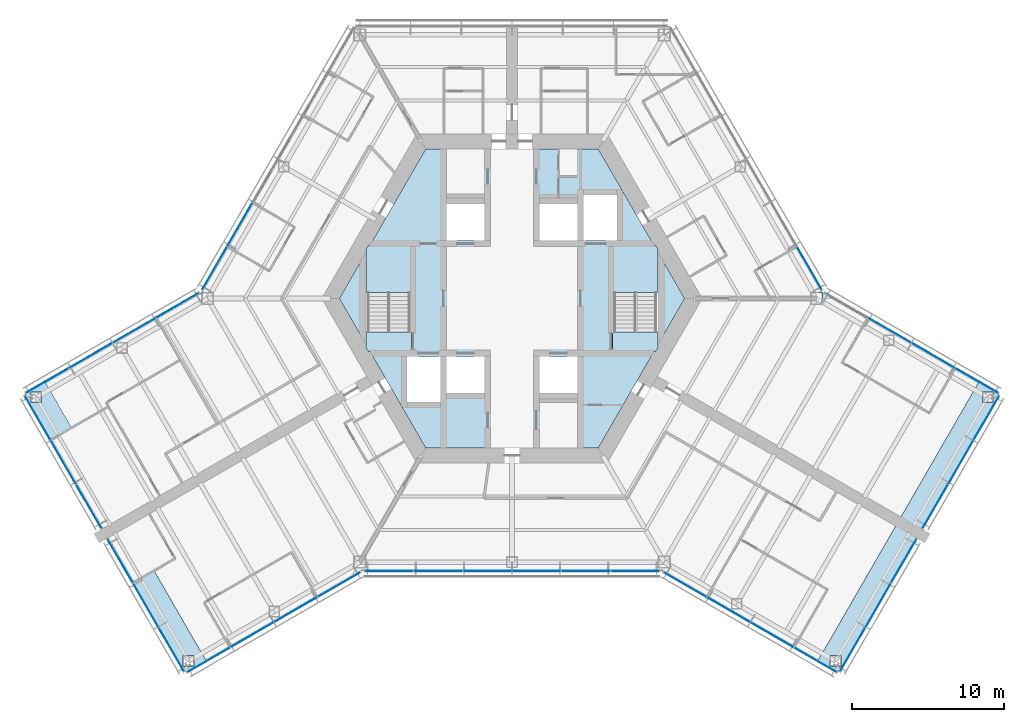
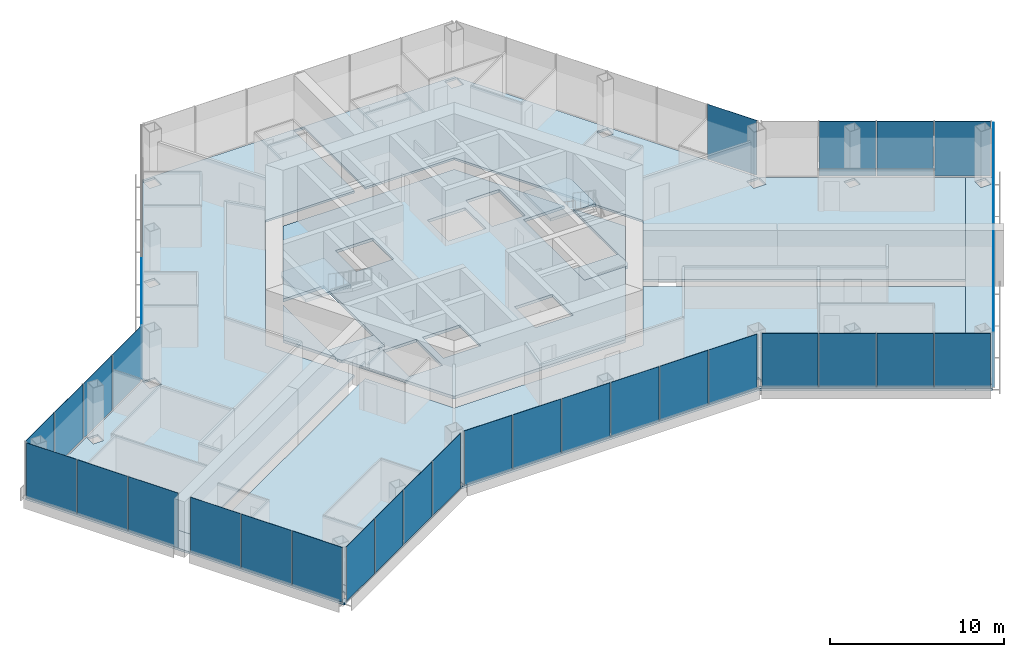
# One storey, part 10 of 18: 36 plates, 11 slabs, 13 elements without a shape of their own.
"""IFC4 building model written with IfcOpenShell, lengths in metres."""

from ifc_helpers import new_model, si_unit, direction, frame, origin, origin_2d, place, context, subcontext, project, spatial, polyline, rectangle, outline, extrude, material, layer, layer_set, type_object, element, aggregate, save


model = new_model("IFC4")

# Units and contexts
model_context = context("Model", 3, precision=1e-05, world=origin(), true_north=direction((0.0, 1.0)))
body_context = subcontext(model_context, "Body", "Model", "MODEL_VIEW")
ifc_project = project(units=[si_unit("LENGTHUNIT", "METRE"), si_unit("AREAUNIT", "SQUARE_METRE"), si_unit("VOLUMEUNIT", "CUBIC_METRE"), si_unit("PLANEANGLEUNIT", "RADIAN"), si_unit("MASSUNIT", "GRAM", prefix="KILO")], contexts=[model_context])

# Site, building, storey
site_placement = place(None, origin())
site = spatial("IfcSite", under=ifc_project, at=site_placement, CompositionType="ELEMENT")
building_placement = place(site_placement, origin())
building = spatial("IfcBuilding", under=site, at=building_placement, Name="Kasaneha Research Tower", CompositionType="ELEMENT")
storey_placement = place(building_placement, frame((0.0, 0.0, 148.699951171875)))
storey = spatial("IfcBuildingStorey", under=building, at=storey_placement, Name="L37", CompositionType="ELEMENT", Elevation=148.699951171875)

# Curtain wall, plates
ifc_material_1 = material(Name="Glass and aluminium", Category="aluminium")
curtain_wall_type = type_object("IfcCurtainWallType", Name="Mid-rise office curtain wall", PredefinedType="USERDEFINED", material=ifc_material_1)
curtain_wall_1_placement = place(storey_placement, origin())
curtain_wall_1 = element("IfcCurtainWall", 1, at=curtain_wall_1_placement, inside=storey, type_object=curtain_wall_type, Name="CW-O2 L37 run 01a", ObjectType="UNITISED CURTAIN WALL", PredefinedType="USERDEFINED")
ifc_material_2 = material(Name="Laminated double glazing", Category="glass")
ifc_layer_1 = layer(ifc_material_2, 0.02587890625)
ifc_layer_set_1 = layer_set([ifc_layer_1], Name="CW-O2 glazed panel")
plate_type = type_object("IfcPlateType", Name="CW-O2 glazed panel", PredefinedType="CURTAIN_PANEL", material=ifc_layer_set_1)
plate_1_placement = place(storey_placement, frame((-8.10107421875, -17.92041015625, 0.06005859375), z_axis=(0.0, 0.0, 1.0), x_axis=(1.0, 0.0, 0.0)))
plate_1 = element("IfcPlate", 2, at=plate_1_placement, type_object=plate_type, Name="CW-O2 panel 1", PredefinedType="CURTAIN_PANEL", context=body_context, shape_type="SweptSolid", body=[
    extrude(rectangle(XDim=3.156494140625, YDim=0.02587890625, at=origin_2d()), origin(), (0.0, 0.0, 1.0), 3.840087890625),
])
plate_2_placement = place(storey_placement, frame((-4.86962890625, -17.92041015625, 0.06005859375), z_axis=(0.0, 0.0, 1.0), x_axis=(1.0, 0.0, 0.0)))
plate_2 = element("IfcPlate", 3, at=plate_2_placement, type_object=plate_type, Name="CW-O2 panel 2", PredefinedType="CURTAIN_PANEL", context=body_context, shape_type="SweptSolid", body=[
    extrude(rectangle(XDim=3.1865234375, YDim=0.02587890625, at=origin_2d()), origin(), (0.0, 0.0, 1.0), 3.840087890625),
])
plate_3_placement = place(storey_placement, frame((-1.623291015625, -17.92041015625, 0.06005859375), z_axis=(0.0, 0.0, 1.0), x_axis=(1.0, 0.0, 0.0)))
plate_3 = element("IfcPlate", 4, at=plate_3_placement, type_object=plate_type, Name="CW-O2 panel 3", PredefinedType="CURTAIN_PANEL", context=body_context, shape_type="SweptSolid", body=[
    extrude(rectangle(XDim=3.1865234375, YDim=0.02587890625, at=origin_2d()), origin(), (0.0, 0.0, 1.0), 3.840087890625),
])
plate_4_placement = place(storey_placement, frame((1.623291015625, -17.92041015625, 0.06005859375), z_axis=(0.0, 0.0, 1.0), x_axis=(1.0, 0.0, 0.0)))
plate_4 = element("IfcPlate", 5, at=plate_4_placement, type_object=plate_type, Name="CW-O2 panel 4", PredefinedType="CURTAIN_PANEL", context=body_context, shape_type="SweptSolid", body=[
    extrude(rectangle(XDim=3.1865234375, YDim=0.02587890625, at=origin_2d()), origin(), (0.0, 0.0, 1.0), 3.840087890625),
])
plate_5_placement = place(storey_placement, frame((4.86962890625, -17.92041015625, 0.06005859375), z_axis=(0.0, 0.0, 1.0), x_axis=(1.0, 0.0, 0.0)))
plate_5 = element("IfcPlate", 6, at=plate_5_placement, type_object=plate_type, Name="CW-O2 panel 5", PredefinedType="CURTAIN_PANEL", context=body_context, shape_type="SweptSolid", body=[
    extrude(rectangle(XDim=3.1865234375, YDim=0.02587890625, at=origin_2d()), origin(), (0.0, 0.0, 1.0), 3.840087890625),
])
plate_6_placement = place(storey_placement, frame((8.10107421875, -17.92041015625, 0.06005859375), z_axis=(0.0, 0.0, 1.0), x_axis=(1.0, 0.0, 0.0)))
plate_6 = element("IfcPlate", 7, at=plate_6_placement, type_object=plate_type, Name="CW-O2 panel 6", PredefinedType="CURTAIN_PANEL", context=body_context, shape_type="SweptSolid", body=[
    extrude(rectangle(XDim=3.156494140625, YDim=0.02587890625, at=origin_2d()), origin(), (0.0, 0.0, 1.0), 3.840087890625),
])
aggregate(curtain_wall_1, [plate_1, plate_2, plate_3, plate_4, plate_5, plate_6])

curtain_wall_2_placement = place(storey_placement, origin())
curtain_wall_2 = element("IfcCurtainWall", 8, at=curtain_wall_2_placement, inside=storey, type_object=curtain_wall_type, Name="CW-O2 L37 run 02a", ObjectType="UNITISED CURTAIN WALL", PredefinedType="USERDEFINED")
plate_7_placement = place(storey_placement, frame((11.3720703125, -18.805419921875, 0.06005859375), z_axis=(0.0, 0.0, 1.0), x_axis=(0.866025411464, -0.499999986699, 0.0)))
plate_7 = element("IfcPlate", 9, at=plate_7_placement, type_object=plate_type, Name="CW-O2 panel 1", PredefinedType="CURTAIN_PANEL", context=body_context, shape_type="SweptSolid", body=[
    extrude(rectangle(XDim=3.2197265625, YDim=0.02587890625, at=origin_2d()), origin(), (0.0, 0.0, 1.0), 3.840087890625),
])
plate_8_placement = place(storey_placement, frame((14.225341796875, -20.452880859375, 0.06005859375), z_axis=(0.0, 0.0, 1.0), x_axis=(0.866025411464, -0.499999986699, 0.0)))
plate_8 = element("IfcPlate", 10, at=plate_8_placement, type_object=plate_type, Name="CW-O2 panel 2", PredefinedType="CURTAIN_PANEL", context=body_context, shape_type="SweptSolid", body=[
    extrude(rectangle(XDim=3.249755859375, YDim=0.02587890625, at=origin_2d()), origin(), (0.0, 0.0, 1.0), 3.840087890625),
])
plate_9_placement = place(storey_placement, frame((17.091796875, -22.107666015625, 0.06005859375), z_axis=(0.0, 0.0, 1.0), x_axis=(0.866025411464, -0.499999986699, 0.0)))
plate_9 = element("IfcPlate", 11, at=plate_9_placement, type_object=plate_type, Name="CW-O2 panel 3", PredefinedType="CURTAIN_PANEL", context=body_context, shape_type="SweptSolid", body=[
    extrude(rectangle(XDim=3.249755859375, YDim=0.02587890625, at=origin_2d()), origin(), (0.0, 0.0, 1.0), 3.840087890625),
])
plate_10_placement = place(storey_placement, frame((19.945068359375, -23.755126953125, 0.06005859375), z_axis=(0.0, 0.0, 1.0), x_axis=(0.866025411464, -0.499999986699, 0.0)))
plate_10 = element("IfcPlate", 12, at=plate_10_placement, type_object=plate_type, Name="CW-O2 panel 4", PredefinedType="CURTAIN_PANEL", context=body_context, shape_type="SweptSolid", body=[
    extrude(rectangle(XDim=3.2197265625, YDim=0.02587890625, at=origin_2d()), origin(), (0.0, 0.0, 1.0), 3.840087890625),
])
aggregate(curtain_wall_2, [plate_7, plate_8, plate_9, plate_10])

curtain_wall_3_placement = place(storey_placement, origin())
curtain_wall_3 = element("IfcCurtainWall", 13, at=curtain_wall_3_placement, inside=storey, type_object=curtain_wall_type, Name="CW-O2 L37 run 03a", ObjectType="UNITISED CURTAIN WALL", PredefinedType="USERDEFINED")
plate_11_placement = place(storey_placement, frame((22.38134765625, -23.075439453125, 0.06005859375), z_axis=(0.0, 0.0, 1.0), x_axis=(0.500000011442, 0.866025397178, 0.0)))
plate_11 = element("IfcPlate", 14, at=plate_11_placement, type_object=plate_type, Name="CW-O2 panel 1", PredefinedType="CURTAIN_PANEL", context=body_context, shape_type="SweptSolid", body=[
    extrude(rectangle(XDim=3.293212890625, YDim=0.02587890625, at=origin_2d()), origin(), (0.0, 0.0, 1.0), 3.840087890625),
])
plate_12_placement = place(storey_placement, frame((24.0654296875, -20.158447265625, 0.06005859375), z_axis=(0.0, 0.0, 1.0), x_axis=(0.500000011442, 0.866025397178, 0.0)))
plate_12 = element("IfcPlate", 15, at=plate_12_placement, type_object=plate_type, Name="CW-O2 panel 2", PredefinedType="CURTAIN_PANEL", context=body_context, shape_type="SweptSolid", body=[
    extrude(rectangle(XDim=3.3232421875, YDim=0.02587890625, at=origin_2d()), origin(), (0.0, 0.0, 1.0), 3.840087890625),
])
plate_13_placement = place(storey_placement, frame((25.74951171875, -17.241455078125, 0.06005859375), z_axis=(0.0, 0.0, 1.0), x_axis=(0.500000011442, 0.866025397178, 0.0)))
plate_13 = element("IfcPlate", 16, at=plate_13_placement, type_object=plate_type, Name="CW-O2 panel 3", PredefinedType="CURTAIN_PANEL", context=body_context, shape_type="SweptSolid", body=[
    extrude(rectangle(XDim=3.293212890625, YDim=0.02587890625, at=origin_2d()), origin(), (0.0, 0.0, 1.0), 3.840087890625),
])
aggregate(curtain_wall_3, [plate_11, plate_12, plate_13])

curtain_wall_4_placement = place(storey_placement, origin())
curtain_wall_4 = element("IfcCurtainWall", 17, at=curtain_wall_4_placement, inside=storey, type_object=curtain_wall_type, Name="CW-O2 L37 run 04a", ObjectType="UNITISED CURTAIN WALL", PredefinedType="USERDEFINED")
plate_14_placement = place(storey_placement, frame((27.806396484375, -13.67919921875, 0.06005859375), z_axis=(0.0, 0.0, 1.0), x_axis=(0.500000011442, 0.866025397178, 0.0)))
plate_14 = element("IfcPlate", 18, at=plate_14_placement, type_object=plate_type, Name="CW-O2 panel 1", PredefinedType="CURTAIN_PANEL", context=body_context, shape_type="SweptSolid", body=[
    extrude(rectangle(XDim=3.293212890625, YDim=0.02587890625, at=origin_2d()), origin(), (0.0, 0.0, 1.0), 3.840087890625),
])
plate_15_placement = place(storey_placement, frame((29.490478515625, -10.761962890625, 0.06005859375), z_axis=(0.0, 0.0, 1.0), x_axis=(0.500000011442, 0.866025397178, 0.0)))
plate_15 = element("IfcPlate", 19, at=plate_15_placement, type_object=plate_type, Name="CW-O2 panel 2", PredefinedType="CURTAIN_PANEL", context=body_context, shape_type="SweptSolid", body=[
    extrude(rectangle(XDim=3.3232421875, YDim=0.02587890625, at=origin_2d()), origin(), (0.0, 0.0, 1.0), 3.840087890625),
])
plate_16_placement = place(storey_placement, frame((31.174560546875, -7.844970703125, 0.06005859375), z_axis=(0.0, 0.0, 1.0), x_axis=(0.500000011442, 0.866025397178, 0.0)))
plate_16 = element("IfcPlate", 20, at=plate_16_placement, type_object=plate_type, Name="CW-O2 panel 3", PredefinedType="CURTAIN_PANEL", context=body_context, shape_type="SweptSolid", body=[
    extrude(rectangle(XDim=3.293212890625, YDim=0.02587890625, at=origin_2d()), origin(), (0.0, 0.0, 1.0), 3.840087890625),
])
aggregate(curtain_wall_4, [plate_14, plate_15, plate_16])

curtain_wall_5_placement = place(storey_placement, origin())
curtain_wall_5 = element("IfcCurtainWall", 21, at=curtain_wall_5_placement, inside=storey, type_object=curtain_wall_type, Name="CW-O2 L37 run 05a", ObjectType="UNITISED CURTAIN WALL", PredefinedType="USERDEFINED")
plate_17_placement = place(storey_placement, frame((30.545166015625, -5.3955078125, 0.06005859375), z_axis=(0.0, 0.0, 1.0), x_axis=(-0.866025411464, 0.499999986699, 0.0)))
plate_17 = element("IfcPlate", 22, at=plate_17_placement, type_object=plate_type, Name="CW-O2 panel 1", PredefinedType="CURTAIN_PANEL", context=body_context, shape_type="SweptSolid", body=[
    extrude(rectangle(XDim=3.2197265625, YDim=0.02587890625, at=origin_2d()), origin(), (0.0, 0.0, 1.0), 3.840087890625),
])
plate_18_placement = place(storey_placement, frame((27.69189453125, -3.748046875, 0.06005859375), z_axis=(0.0, 0.0, 1.0), x_axis=(-0.866025411464, 0.499999986699, 0.0)))
plate_18 = element("IfcPlate", 23, at=plate_18_placement, type_object=plate_type, Name="CW-O2 panel 2", PredefinedType="CURTAIN_PANEL", context=body_context, shape_type="SweptSolid", body=[
    extrude(rectangle(XDim=3.249755859375, YDim=0.02587890625, at=origin_2d()), origin(), (0.0, 0.0, 1.0), 3.840087890625),
])
plate_19_placement = place(storey_placement, frame((24.825439453125, -2.093017578125, 0.06005859375), z_axis=(0.0, 0.0, 1.0), x_axis=(-0.866025411464, 0.499999986699, 0.0)))
plate_19 = element("IfcPlate", 24, at=plate_19_placement, type_object=plate_type, Name="CW-O2 panel 3", PredefinedType="CURTAIN_PANEL", context=body_context, shape_type="SweptSolid", body=[
    extrude(rectangle(XDim=3.249755859375, YDim=0.02587890625, at=origin_2d()), origin(), (0.0, 0.0, 1.0), 3.840087890625),
])
aggregate(curtain_wall_5, [plate_17, plate_18, plate_19])

# Curtain wall, plate
curtain_wall_6_placement = place(storey_placement, origin())
curtain_wall_6 = element("IfcCurtainWall", 25, at=curtain_wall_6_placement, inside=storey, type_object=curtain_wall_type, Name="CW-O2 L37 run 06a", ObjectType="UNITISED CURTAIN WALL", PredefinedType="USERDEFINED")
plate_20_placement = place(storey_placement, frame((19.549072265625, 1.981201171875, 0.06005859375), z_axis=(0.0, 0.0, 1.0), x_axis=(-0.499999979232, 0.866025415775, 0.0)))
plate_20 = element("IfcPlate", 26, at=plate_20_placement, type_object=plate_type, Name="CW-O2 panel 1", PredefinedType="CURTAIN_PANEL", context=body_context, shape_type="SweptSolid", body=[
    extrude(rectangle(XDim=3.240966796875, YDim=0.02587890625, at=origin_2d()), origin(), (0.0, 0.0, 1.0), 3.840087890625),
])
aggregate(curtain_wall_6, [plate_20])

# Curtain wall, plates
curtain_wall_7_placement = place(storey_placement, origin())
curtain_wall_7 = element("IfcCurtainWall", 27, at=curtain_wall_7_placement, inside=storey, type_object=curtain_wall_type, Name="CW-O2 L37 run 08a", ObjectType="UNITISED CURTAIN WALL", PredefinedType="USERDEFINED")
plate_21_placement = place(storey_placement, frame((-17.89111328125, 4.852783203125, 0.06005859375), z_axis=(0.0, 0.0, 1.0), x_axis=(-0.499999979232, -0.866025415775, 0.0)))
plate_21 = element("IfcPlate", 28, at=plate_21_placement, type_object=plate_type, Name="CW-O2 panel 5", PredefinedType="CURTAIN_PANEL", context=body_context, shape_type="SweptSolid", body=[
    extrude(rectangle(XDim=3.27099609375, YDim=0.02587890625, at=origin_2d()), origin(), (0.0, 0.0, 1.0), 3.840087890625),
])
plate_22_placement = place(storey_placement, frame((-19.549072265625, 1.981201171875, 0.06005859375), z_axis=(0.0, 0.0, 1.0), x_axis=(-0.499999979232, -0.866025415775, 0.0)))
plate_22 = element("IfcPlate", 29, at=plate_22_placement, type_object=plate_type, Name="CW-O2 panel 6", PredefinedType="CURTAIN_PANEL", context=body_context, shape_type="SweptSolid", body=[
    extrude(rectangle(XDim=3.240966796875, YDim=0.02587890625, at=origin_2d()), origin(), (0.0, 0.0, 1.0), 3.840087890625),
])
aggregate(curtain_wall_7, [plate_21, plate_22])

curtain_wall_8_placement = place(storey_placement, origin())
curtain_wall_8 = element("IfcCurtainWall", 30, at=curtain_wall_8_placement, inside=storey, type_object=curtain_wall_type, Name="CW-O2 L37 run 09a", ObjectType="UNITISED CURTAIN WALL", PredefinedType="USERDEFINED")
plate_23_placement = place(storey_placement, frame((-21.971923828125, -0.44580078125, 0.06005859375), z_axis=(0.0, 0.0, 1.0), x_axis=(-0.866025411464, -0.499999986699, 0.0)))
plate_23 = element("IfcPlate", 31, at=plate_23_placement, type_object=plate_type, Name="CW-O2 panel 1", PredefinedType="CURTAIN_PANEL", context=body_context, shape_type="SweptSolid", body=[
    extrude(rectangle(XDim=3.2197265625, YDim=0.02587890625, at=origin_2d()), origin(), (0.0, 0.0, 1.0), 3.840087890625),
])
plate_24_placement = place(storey_placement, frame((-24.825439453125, -2.093017578125, 0.06005859375), z_axis=(0.0, 0.0, 1.0), x_axis=(-0.866025411464, -0.499999986699, 0.0)))
plate_24 = element("IfcPlate", 32, at=plate_24_placement, type_object=plate_type, Name="CW-O2 panel 2", PredefinedType="CURTAIN_PANEL", context=body_context, shape_type="SweptSolid", body=[
    extrude(rectangle(XDim=3.249755859375, YDim=0.02587890625, at=origin_2d()), origin(), (0.0, 0.0, 1.0), 3.840087890625),
])
plate_25_placement = place(storey_placement, frame((-27.69189453125, -3.748046875, 0.06005859375), z_axis=(0.0, 0.0, 1.0), x_axis=(-0.866025411464, -0.499999986699, 0.0)))
plate_25 = element("IfcPlate", 33, at=plate_25_placement, type_object=plate_type, Name="CW-O2 panel 3", PredefinedType="CURTAIN_PANEL", context=body_context, shape_type="SweptSolid", body=[
    extrude(rectangle(XDim=3.249755859375, YDim=0.02587890625, at=origin_2d()), origin(), (0.0, 0.0, 1.0), 3.840087890625),
])
plate_26_placement = place(storey_placement, frame((-30.545166015625, -5.3955078125, 0.06005859375), z_axis=(0.0, 0.0, 1.0), x_axis=(-0.866025411464, -0.499999986699, 0.0)))
plate_26 = element("IfcPlate", 34, at=plate_26_placement, type_object=plate_type, Name="CW-O2 panel 4", PredefinedType="CURTAIN_PANEL", context=body_context, shape_type="SweptSolid", body=[
    extrude(rectangle(XDim=3.2197265625, YDim=0.02587890625, at=origin_2d()), origin(), (0.0, 0.0, 1.0), 3.840087890625),
])
aggregate(curtain_wall_8, [plate_23, plate_24, plate_25, plate_26])

curtain_wall_9_placement = place(storey_placement, origin())
curtain_wall_9 = element("IfcCurtainWall", 35, at=curtain_wall_9_placement, inside=storey, type_object=curtain_wall_type, Name="CW-O2 L37 run 10a", ObjectType="UNITISED CURTAIN WALL", PredefinedType="USERDEFINED")
plate_27_placement = place(storey_placement, frame((-31.174560546875, -7.844970703125, 0.06005859375), z_axis=(0.0, 0.0, 1.0), x_axis=(0.500000011442, -0.866025397178, 0.0)))
plate_27 = element("IfcPlate", 36, at=plate_27_placement, type_object=plate_type, Name="CW-O2 panel 1", PredefinedType="CURTAIN_PANEL", context=body_context, shape_type="SweptSolid", body=[
    extrude(rectangle(XDim=3.293212890625, YDim=0.02587890625, at=origin_2d()), origin(), (0.0, 0.0, 1.0), 3.840087890625),
])
plate_28_placement = place(storey_placement, frame((-29.490478515625, -10.761962890625, 0.06005859375), z_axis=(0.0, 0.0, 1.0), x_axis=(0.500000011442, -0.866025397178, 0.0)))
plate_28 = element("IfcPlate", 37, at=plate_28_placement, type_object=plate_type, Name="CW-O2 panel 2", PredefinedType="CURTAIN_PANEL", context=body_context, shape_type="SweptSolid", body=[
    extrude(rectangle(XDim=3.3232421875, YDim=0.02587890625, at=origin_2d()), origin(), (0.0, 0.0, 1.0), 3.840087890625),
])
plate_29_placement = place(storey_placement, frame((-27.806396484375, -13.67919921875, 0.06005859375), z_axis=(0.0, 0.0, 1.0), x_axis=(0.500000011442, -0.866025397178, 0.0)))
plate_29 = element("IfcPlate", 38, at=plate_29_placement, type_object=plate_type, Name="CW-O2 panel 3", PredefinedType="CURTAIN_PANEL", context=body_context, shape_type="SweptSolid", body=[
    extrude(rectangle(XDim=3.293212890625, YDim=0.02587890625, at=origin_2d()), origin(), (0.0, 0.0, 1.0), 3.840087890625),
])
aggregate(curtain_wall_9, [plate_27, plate_28, plate_29])

curtain_wall_10_placement = place(storey_placement, origin())
curtain_wall_10 = element("IfcCurtainWall", 39, at=curtain_wall_10_placement, inside=storey, type_object=curtain_wall_type, Name="CW-O2 L37 run 11a", ObjectType="UNITISED CURTAIN WALL", PredefinedType="USERDEFINED")
plate_30_placement = place(storey_placement, frame((-25.74951171875, -17.241455078125, 0.06005859375), z_axis=(0.0, 0.0, 1.0), x_axis=(0.500000011442, -0.866025397178, 0.0)))
plate_30 = element("IfcPlate", 40, at=plate_30_placement, type_object=plate_type, Name="CW-O2 panel 1", PredefinedType="CURTAIN_PANEL", context=body_context, shape_type="SweptSolid", body=[
    extrude(rectangle(XDim=3.293212890625, YDim=0.02587890625, at=origin_2d()), origin(), (0.0, 0.0, 1.0), 3.840087890625),
])
plate_31_placement = place(storey_placement, frame((-24.0654296875, -20.158447265625, 0.06005859375), z_axis=(0.0, 0.0, 1.0), x_axis=(0.500000011442, -0.866025397178, 0.0)))
plate_31 = element("IfcPlate", 41, at=plate_31_placement, type_object=plate_type, Name="CW-O2 panel 2", PredefinedType="CURTAIN_PANEL", context=body_context, shape_type="SweptSolid", body=[
    extrude(rectangle(XDim=3.3232421875, YDim=0.02587890625, at=origin_2d()), origin(), (0.0, 0.0, 1.0), 3.840087890625),
])
plate_32_placement = place(storey_placement, frame((-22.38134765625, -23.075439453125, 0.06005859375), z_axis=(0.0, 0.0, 1.0), x_axis=(0.500000011442, -0.866025397178, 0.0)))
plate_32 = element("IfcPlate", 42, at=plate_32_placement, type_object=plate_type, Name="CW-O2 panel 3", PredefinedType="CURTAIN_PANEL", context=body_context, shape_type="SweptSolid", body=[
    extrude(rectangle(XDim=3.293212890625, YDim=0.02587890625, at=origin_2d()), origin(), (0.0, 0.0, 1.0), 3.840087890625),
])
aggregate(curtain_wall_10, [plate_30, plate_31, plate_32])

curtain_wall_11_placement = place(storey_placement, origin())
curtain_wall_11 = element("IfcCurtainWall", 43, at=curtain_wall_11_placement, inside=storey, type_object=curtain_wall_type, Name="CW-O2 L37 run 12a", ObjectType="UNITISED CURTAIN WALL", PredefinedType="USERDEFINED")
plate_33_placement = place(storey_placement, frame((-19.945068359375, -23.755126953125, 0.06005859375), z_axis=(0.0, 0.0, 1.0), x_axis=(0.866025411464, 0.499999986699, 0.0)))
plate_33 = element("IfcPlate", 44, at=plate_33_placement, type_object=plate_type, Name="CW-O2 panel 1", PredefinedType="CURTAIN_PANEL", context=body_context, shape_type="SweptSolid", body=[
    extrude(rectangle(XDim=3.2197265625, YDim=0.02587890625, at=origin_2d()), origin(), (0.0, 0.0, 1.0), 3.840087890625),
])
plate_34_placement = place(storey_placement, frame((-17.091796875, -22.107666015625, 0.06005859375), z_axis=(0.0, 0.0, 1.0), x_axis=(0.866025411464, 0.499999986699, 0.0)))
plate_34 = element("IfcPlate", 45, at=plate_34_placement, type_object=plate_type, Name="CW-O2 panel 2", PredefinedType="CURTAIN_PANEL", context=body_context, shape_type="SweptSolid", body=[
    extrude(rectangle(XDim=3.249755859375, YDim=0.02587890625, at=origin_2d()), origin(), (0.0, 0.0, 1.0), 3.840087890625),
])
plate_35_placement = place(storey_placement, frame((-14.225341796875, -20.452880859375, 0.06005859375), z_axis=(0.0, 0.0, 1.0), x_axis=(0.866025411464, 0.499999986699, 0.0)))
plate_35 = element("IfcPlate", 46, at=plate_35_placement, type_object=plate_type, Name="CW-O2 panel 3", PredefinedType="CURTAIN_PANEL", context=body_context, shape_type="SweptSolid", body=[
    extrude(rectangle(XDim=3.249755859375, YDim=0.02587890625, at=origin_2d()), origin(), (0.0, 0.0, 1.0), 3.840087890625),
])
plate_36_placement = place(storey_placement, frame((-11.3720703125, -18.805419921875, 0.06005859375), z_axis=(0.0, 0.0, 1.0), x_axis=(0.866025411464, 0.499999986699, 0.0)))
plate_36 = element("IfcPlate", 47, at=plate_36_placement, type_object=plate_type, Name="CW-O2 panel 4", PredefinedType="CURTAIN_PANEL", context=body_context, shape_type="SweptSolid", body=[
    extrude(rectangle(XDim=3.2197265625, YDim=0.02587890625, at=origin_2d()), origin(), (0.0, 0.0, 1.0), 3.840087890625),
])
aggregate(curtain_wall_11, [plate_33, plate_34, plate_35, plate_36])

# Slabs
ifc_material_3 = material(Name="Concrete Fc24", Category="concrete")
ifc_layer_2 = layer(ifc_material_3, 0.199951171875)
ifc_layer_set_2 = layer_set([ifc_layer_2], Name="Core floor slab 200")
slab_type_1 = type_object("IfcSlabType", Name="Core floor slab 200", PredefinedType="FLOOR", material=ifc_layer_set_2)
slab_1_placement = place(storey_placement, frame((0.0, 0.0, -0.199951171875)))
element("IfcSlab", 48, at=slab_1_placement, inside=storey, type_object=slab_type_1, Name="Core slab L37", PredefinedType="FLOOR", context=body_context, shape_type="SweptSolid", body=[
    extrude(outline(polyline([(-11.344970703125, 0.0), (-9.60009765625, 3.022216796875), (-9.60009765625, -3.022216796875), (-11.344970703125, 0.0)])), origin(), (0.0, 0.0, 1.0), 0.199951171875),
])
slab_2_placement = place(storey_placement, frame((0.0, 0.0, -0.199951171875)))
element("IfcSlab", 49, at=slab_2_placement, inside=storey, type_object=slab_type_1, Name="Core slab L37", PredefinedType="FLOOR", context=body_context, shape_type="SweptSolid", body=[
    extrude(outline(polyline([(-5.67236328125, 9.824951171875), (5.67236328125, 9.824951171875), (9.32421875, 3.5), (6.60009765625, 3.5), (6.60009765625, -3.5), (9.32421875, -3.5), (5.67236328125, -9.824951171875), (-5.67236328125, -9.824951171875), (-9.32421875, -3.5), (-6.60009765625, -3.5), (-6.60009765625, 3.5), (-9.32421875, 3.5), (-5.67236328125, 9.824951171875)]), holes=[polyline([(-6.89990234375, -3.800048828125), (-6.89990234375, -6.800048828125), (-4.699951171875, -6.800048828125), (-4.699951171875, -3.800048828125), (-6.89990234375, -3.800048828125)]), polyline([(-4.300048828125, -3.800048828125), (-4.300048828125, -6.199951171875), (-1.800048828125, -6.199951171875), (-1.800048828125, -3.800048828125), (-4.300048828125, -3.800048828125)]), polyline([(1.800048828125, -3.800048828125), (1.800048828125, -6.199951171875), (4.300048828125, -6.199951171875), (4.300048828125, -3.800048828125), (1.800048828125, -3.800048828125)]), polyline([(-4.300048828125, 6.199951171875), (-4.300048828125, 3.800048828125), (-1.800048828125, 3.800048828125), (-1.800048828125, 6.199951171875), (-4.300048828125, 6.199951171875)]), polyline([(1.800048828125, 6.199951171875), (1.800048828125, 3.800048828125), (4.300048828125, 3.800048828125), (4.300048828125, 6.199951171875), (1.800048828125, 6.199951171875)]), polyline([(4.699951171875, 6.800048828125), (4.699951171875, 3.800048828125), (6.89990234375, 3.800048828125), (6.89990234375, 6.800048828125), (4.699951171875, 6.800048828125)])]), origin(), (0.0, 0.0, 1.0), 0.199951171875),
])
slab_3_placement = place(storey_placement, frame((0.0, 0.0, -0.199951171875)))
element("IfcSlab", 50, at=slab_3_placement, inside=storey, type_object=slab_type_1, Name="Core slab L37", PredefinedType="FLOOR", context=body_context, shape_type="SweptSolid", body=[
    extrude(outline(polyline([(11.344970703125, 0.0), (9.60009765625, -3.022216796875), (9.60009765625, 3.022216796875), (11.344970703125, 0.0)])), origin(), (0.0, 0.0, 1.0), 0.199951171875),
])
ifc_material_4 = material(Name="Concrete Fc24", Category="concrete")
ifc_layer_3 = layer(ifc_material_4, 0.14990234375)
ifc_layer_set_3 = layer_set([ifc_layer_3], Name="Floor slab 150")
slab_type_2 = type_object("IfcSlabType", Name="Floor slab 150", PredefinedType="FLOOR", material=ifc_layer_set_3)
slab_4_placement = place(storey_placement, frame((0.0, 0.0, -0.14990234375)))
element("IfcSlab", 51, at=slab_4_placement, inside=storey, type_object=slab_type_2, Name="Floor slab L37 1", PredefinedType="FLOOR", context=body_context, shape_type="SweptSolid", body=[
    extrude(outline(polyline([(-32.009521484375, -6.298583984375), (-30.65869140625, -5.518798828125), (-25.55859375, -14.35205078125), (-25.5673828125, -14.357177734375), (-25.21728515625, -14.96337890625), (-25.208740234375, -14.958251953125), (-20.108642578125, -23.791748046875), (-21.459716796875, -24.57177734375), (-32.009521484375, -6.298583984375)]), holes=[polyline([(-20.908447265625, -24.17041015625), (-20.908447265625, -23.470458984375), (-21.6083984375, -23.470458984375), (-21.6083984375, -24.17041015625), (-20.908447265625, -24.17041015625)]), polyline([(-30.908447265625, -6.85009765625), (-30.908447265625, -6.14990234375), (-31.6083984375, -6.14990234375), (-31.6083984375, -6.85009765625), (-30.908447265625, -6.85009765625)])]), origin(), (0.0, 0.0, 1.0), 0.14990234375),
])
slab_5_placement = place(storey_placement, frame((0.0, 0.0, -0.14990234375)))
element("IfcSlab", 52, at=slab_5_placement, inside=storey, type_object=slab_type_2, Name="Floor slab L37 2", PredefinedType="FLOOR", context=body_context, shape_type="SweptSolid", body=[
    extrude(outline(polyline([(9.8525390625, -17.87060546875), (-9.8525390625, -17.87060546875), (-20.108642578125, -23.791748046875), (-25.208740234375, -14.958251953125), (-9.19970703125, -5.715576171875), (-6.249755859375, -10.824951171875), (6.249755859375, -10.824951171875), (9.19970703125, -5.715576171875), (25.208740234375, -14.958251953125), (20.108642578125, -23.791748046875), (9.8525390625, -17.87060546875)]), holes=[polyline([(-15.279052734375, -20.92041015625), (-15.279052734375, -20.220458984375), (-15.979248046875, -20.220458984375), (-15.979248046875, -20.92041015625), (-15.279052734375, -20.92041015625)]), polyline([(0.35009765625, -17.67041015625), (0.35009765625, -16.970458984375), (-0.35009765625, -16.970458984375), (-0.35009765625, -17.67041015625), (0.35009765625, -17.67041015625)]), polyline([(-10.39990234375, -17.720458984375), (-9.60009765625, -17.720458984375), (-9.60009765625, -16.92041015625), (-10.39990234375, -16.92041015625), (-10.39990234375, -17.720458984375)]), polyline([(15.113037109375, -20.42041015625), (15.113037109375, -19.720458984375), (14.4130859375, -19.720458984375), (14.4130859375, -20.42041015625), (15.113037109375, -20.42041015625)]), polyline([(9.60009765625, -17.720458984375), (10.39990234375, -17.720458984375), (10.39990234375, -16.92041015625), (9.60009765625, -16.92041015625), (9.60009765625, -17.720458984375)])]), origin(), (0.0, 0.0, 1.0), 0.14990234375),
])
slab_6_placement = place(storey_placement, frame((0.0, 0.0, -0.14990234375)))
element("IfcSlab", 53, at=slab_6_placement, inside=storey, type_object=slab_type_2, Name="Floor slab L37 3", PredefinedType="FLOOR", context=body_context, shape_type="SweptSolid", body=[
    extrude(outline(polyline([(-20.400146484375, -0.400146484375), (-19.599853515625, -0.400146484375), (-19.599853515625, 0.400146484375), (-20.385986328125, 0.400146484375), (-20.3974609375, 0.41162109375), (-10.40771484375, 17.714111328125), (-10.400146484375, 17.70654296875), (-10.400146484375, 16.92041015625), (-9.599853515625, 16.92041015625), (-9.599853515625, 17.720703125), (-10.385986328125, 17.720703125), (-10.3974609375, 17.732177734375), (-10.317626953125, 17.87060546875), (10.317626953125, 17.87060546875), (10.3974609375, 17.732177734375), (10.385986328125, 17.720703125), (9.599853515625, 17.720703125), (9.599853515625, 16.92041015625), (10.400146484375, 16.92041015625), (10.400146484375, 17.70654296875), (10.40771484375, 17.714111328125), (20.3974609375, 0.41162109375), (20.385986328125, 0.400146484375), (19.599853515625, 0.400146484375), (19.599853515625, -0.400146484375), (20.400146484375, -0.400146484375), (20.400146484375, 0.385986328125), (20.41162109375, 0.3974609375), (30.65869140625, -5.518798828125), (25.55859375, -14.35205078125), (9.5498046875, -5.109375), (12.49951171875, 0.0), (6.249755859375, 10.824951171875), (0.35009765625, 10.824951171875), (0.35009765625, 17.7705078125), (-0.35009765625, 17.7705078125), (-0.35009765625, 10.824951171875), (-6.249755859375, 10.824951171875), (-12.49951171875, 0.0), (-9.5498046875, -5.109375), (-25.55859375, -14.35205078125), (-30.65869140625, -5.518798828125), (-20.41162109375, 0.3974609375), (-20.400146484375, 0.385986328125), (-20.400146484375, -0.400146484375)]), holes=[polyline([(-25.279052734375, -3.60009765625), (-25.279052734375, -2.89990234375), (-25.979248046875, -2.89990234375), (-25.979248046875, -3.60009765625), (-25.279052734375, -3.60009765625)]), polyline([(-15.35009765625, 8.310302734375), (-14.64990234375, 8.310302734375), (-14.64990234375, 9.01025390625), (-15.35009765625, 9.01025390625), (-15.35009765625, 8.310302734375)]), polyline([(24.4130859375, -3.10009765625), (25.113037109375, -3.10009765625), (25.113037109375, -2.39990234375), (24.4130859375, -2.39990234375), (24.4130859375, -3.10009765625)]), polyline([(14.64990234375, 8.310302734375), (15.35009765625, 8.310302734375), (15.35009765625, 9.01025390625), (14.64990234375, 9.01025390625), (14.64990234375, 8.310302734375)])]), origin(), (0.0, 0.0, 1.0), 0.14990234375),
])
slab_7_placement = place(storey_placement, frame((0.0, 0.0, -0.14990234375)))
element("IfcSlab", 54, at=slab_7_placement, inside=storey, type_object=slab_type_2, Name="Floor slab L37 4", PredefinedType="FLOOR", context=body_context, shape_type="SweptSolid", body=[
    extrude(outline(polyline([(32.009521484375, -6.298583984375), (21.459716796875, -24.57177734375), (20.108642578125, -23.791748046875), (25.208740234375, -14.958251953125), (25.21728515625, -14.96337890625), (25.5673828125, -14.357177734375), (25.55859375, -14.35205078125), (30.65869140625, -5.518798828125), (32.009521484375, -6.298583984375)]), holes=[polyline([(21.6083984375, -24.17041015625), (21.6083984375, -23.470458984375), (20.908447265625, -23.470458984375), (20.908447265625, -24.17041015625), (21.6083984375, -24.17041015625)]), polyline([(31.6083984375, -6.85009765625), (31.6083984375, -6.14990234375), (30.908447265625, -6.14990234375), (30.908447265625, -6.85009765625), (31.6083984375, -6.85009765625)])]), origin(), (0.0, 0.0, 1.0), 0.14990234375),
])

# Stair, slabs
ifc_material_5 = material(Name="Concrete Fc24", Category="concrete")
stair_type = type_object("IfcStairType", Name="Half-turn stair 22 risers", PredefinedType="HALF_TURN_STAIR", material=ifc_material_5)
stair_1_placement = place(storey_placement, origin())
stair_1 = element("IfcStair", 55, at=stair_1_placement, inside=storey, type_object=stair_type, Name="Stair 1 L37", PredefinedType="HALF_TURN_STAIR")
ifc_material_6 = material(Name="Concrete Fc24", Category="concrete")
ifc_layer_4 = layer(ifc_material_6, 0.199951171875)
ifc_layer_set_4 = layer_set([ifc_layer_4], Name="Stair 1 landing 200")
slab_type_3 = type_object("IfcSlabType", Name="Stair 1 landing 200", PredefinedType="LANDING", material=ifc_layer_set_4)
slab_8_placement = place(storey_placement, frame((0.0, 0.0, -0.199951171875)))
slab_8 = element("IfcSlab", 56, at=slab_8_placement, type_object=slab_type_3, Name="ST1-22R landing 1", PredefinedType="LANDING", context=body_context, shape_type="SweptSolid", body=[
    extrude(outline(polyline([(9.439697265625, -3.5), (6.60009765625, -3.5), (6.60009765625, -2.199951171875), (9.60009765625, -2.199951171875), (9.60009765625, -3.222412109375), (9.439697265625, -3.5)])), origin(), (0.0, 0.0, 1.0), 0.199951171875),
])
slab_9_placement = place(storey_placement, frame((0.0, 0.0, 1.75)))
slab_9 = element("IfcSlab", 57, at=slab_9_placement, type_object=slab_type_3, Name="ST1-22R landing 2", PredefinedType="LANDING", context=body_context, shape_type="SweptSolid", body=[
    extrude(outline(polyline([(6.60009765625, 3.5), (9.439697265625, 3.5), (9.60009765625, 3.222412109375), (9.60009765625, 0.39990234375), (6.60009765625, 0.39990234375), (6.60009765625, 3.5)])), origin(), (0.0, 0.0, 1.0), 0.199951171875),
])
aggregate(stair_1, [slab_8, slab_9])

stair_2_placement = place(storey_placement, origin())
stair_2 = element("IfcStair", 58, at=stair_2_placement, inside=storey, type_object=stair_type, Name="Stair 2 L37", PredefinedType="HALF_TURN_STAIR")
ifc_material_7 = material(Name="Concrete Fc24", Category="concrete")
ifc_layer_5 = layer(ifc_material_7, 0.199951171875)
ifc_layer_set_5 = layer_set([ifc_layer_5], Name="Stair 2 landing 200")
slab_type_4 = type_object("IfcSlabType", Name="Stair 2 landing 200", PredefinedType="LANDING", material=ifc_layer_set_5)
slab_10_placement = place(storey_placement, frame((0.0, 0.0, -0.199951171875)))
slab_10 = element("IfcSlab", 59, at=slab_10_placement, type_object=slab_type_4, Name="ST2-22R landing 1", PredefinedType="LANDING", context=body_context, shape_type="SweptSolid", body=[
    extrude(outline(polyline([(-6.60009765625, -3.5), (-9.439697265625, -3.5), (-9.60009765625, -3.222412109375), (-9.60009765625, -2.199951171875), (-6.60009765625, -2.199951171875), (-6.60009765625, -3.5)])), origin(), (0.0, 0.0, 1.0), 0.199951171875),
])
slab_11_placement = place(storey_placement, frame((0.0, 0.0, 1.75)))
slab_11 = element("IfcSlab", 60, at=slab_11_placement, type_object=slab_type_4, Name="ST2-22R landing 2", PredefinedType="LANDING", context=body_context, shape_type="SweptSolid", body=[
    extrude(outline(polyline([(-6.60009765625, 0.39990234375), (-9.60009765625, 0.39990234375), (-9.60009765625, 3.222412109375), (-9.439697265625, 3.5), (-6.60009765625, 3.5), (-6.60009765625, 0.39990234375)])), origin(), (0.0, 0.0, 1.0), 0.199951171875),
])
aggregate(stair_2, [slab_10, slab_11])

save(model, "model.ifc")
